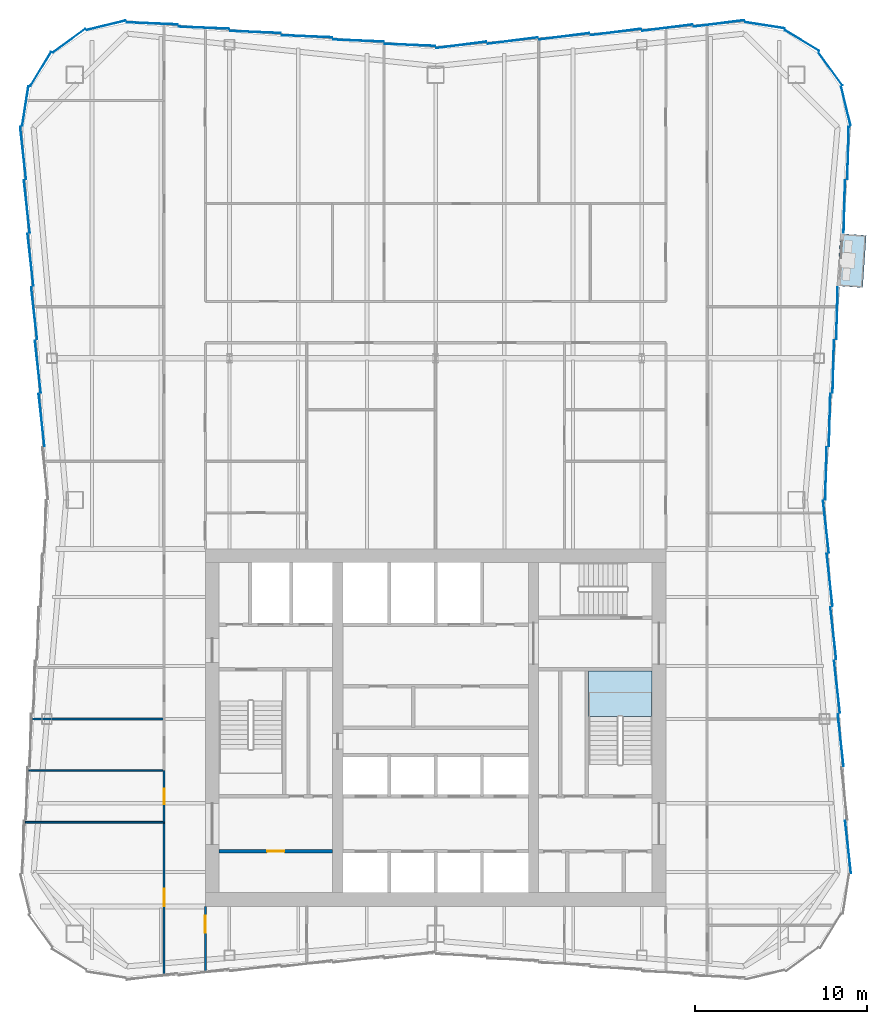
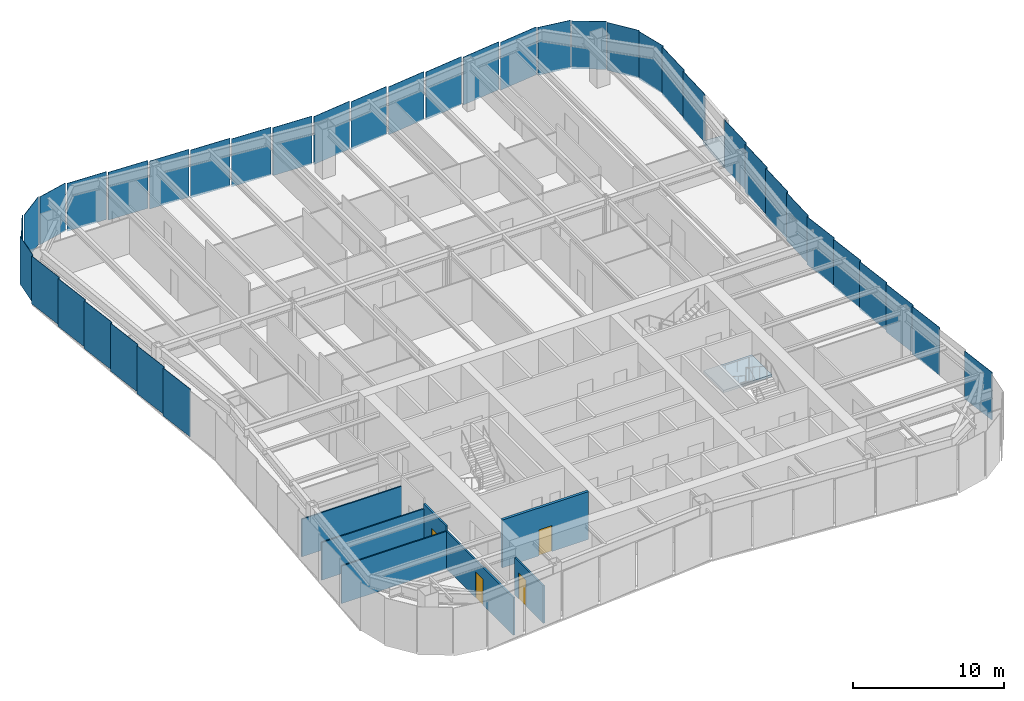
# One storey, part 5 of 11: 38 plates, 7 walls, 4 doors, 2 slabs, 4 openings, 6 elements without a shape of their own.
"""IFC4 building model written with IfcOpenShell, lengths in metres."""

from ifc_helpers import new_model, si_unit, direction, frame, frame_2d, origin, origin_2d, place, context, subcontext, project, spatial, polyline, rectangle, outline, extrude, material, layer, layer_set, type_object, element, fill, aggregate, save


model = new_model("IFC4")

# Units and contexts
model_context = context("Model", 3, precision=1e-05, world=origin(), true_north=direction((0.0, 1.0)))
body_context = subcontext(model_context, "Body", "Model", "MODEL_VIEW")
ifc_project = project(units=[si_unit("LENGTHUNIT", "METRE"), si_unit("AREAUNIT", "SQUARE_METRE"), si_unit("VOLUMEUNIT", "CUBIC_METRE"), si_unit("PLANEANGLEUNIT", "RADIAN"), si_unit("MASSUNIT", "GRAM", prefix="KILO")], contexts=[model_context])

# Site, building, storey
site_placement = place(None, origin())
site = spatial("IfcSite", under=ifc_project, at=site_placement, CompositionType="ELEMENT")
building_placement = place(site_placement, origin())
building = spatial("IfcBuilding", under=site, at=building_placement, Name="Verdant Reach Tower", CompositionType="ELEMENT")
storey_placement = place(building_placement, frame((0.0, 0.0, 254.0)))
storey = spatial("IfcBuildingStorey", under=building, at=storey_placement, Name="L58", CompositionType="ELEMENT", Elevation=254.0)

# Stair, slab
ifc_material_1 = material(Name="Concrete C40/50", Category="concrete")
stair_type = type_object("IfcStairType", Name="CO-STAIR", PredefinedType="HALF_TURN_STAIR", material=ifc_material_1)
stair_placement = place(storey_placement, origin())
stair = element("IfcStair", 1, at=stair_placement, inside=storey, type_object=stair_type, Name="L58 Exit stair 2", PredefinedType="HALF_TURN_STAIR")
ifc_layer_1 = layer(ifc_material_1, 0.199951171875)
ifc_layer_set_1 = layer_set([ifc_layer_1], Name="CO-STAIR-LANDING")
slab_type_1 = type_object("IfcSlabType", Name="CO-STAIR-LANDING", PredefinedType="LANDING", material=ifc_layer_set_1)
slab_1_placement = place(storey_placement, frame((0.0, 0.0, 1.800048828125)))
slab_1 = element("IfcSlab", 2, at=slab_1_placement, type_object=slab_type_1, Name="ST-2 landing 1", PredefinedType="LANDING", context=body_context, shape_type="SweptSolid", body=[
    extrude(outline(polyline([(12.60009765625, 28.64990234375), (12.60009765625, 31.300048828125), (8.89990234375, 31.300048828125), (8.89990234375, 28.64990234375), (12.60009765625, 28.64990234375)])), origin(), (0.0, 0.0, 1.0), 0.199951171875),
])
aggregate(stair, [slab_1])

# Slab
ifc_material_2 = material(Name="Concrete C35/45", Category="concrete")
ifc_layer_2 = layer(ifc_material_2, 0.25)
ifc_layer_set_2 = layer_set([ifc_layer_2], Name="EN-BALCONY SLAB")
slab_type_2 = type_object("IfcSlabType", Name="EN-BALCONY SLAB", PredefinedType="FLOOR", material=ifc_layer_set_2)
slab_2_placement = place(storey_placement, frame((0.0, 0.0, -0.25)))
element("IfcSlab", 3, at=slab_2_placement, inside=storey, type_object=slab_type_2, Name="Balcony slab 1, L58", PredefinedType="FLOOR", context=body_context, shape_type="SweptSolid", body=[
    extrude(outline(polyline([(23.359375, 53.71240234375), (23.569091796875, 56.751708984375), (25.0654296875, 56.648681640625), (24.85595703125, 53.609375), (23.359375, 53.71240234375)])), origin(), (0.0, 0.0, 1.0), 0.25),
])

# Curtain wall, plates
ifc_material_3 = material(Name="Anodised aluminium", Category="aluminium")
curtain_wall_type = type_object("IfcCurtainWallType", Name="EN-CW SYSTEM Z4", PredefinedType="NOTDEFINED", material=ifc_material_3)
curtain_wall_1_placement = place(storey_placement, origin())
curtain_wall_1 = element("IfcCurtainWall", 4, at=curtain_wall_1_placement, inside=storey, type_object=curtain_wall_type, Name="Curtain wall east, L58", PredefinedType="NOTDEFINED")
ifc_material_4 = material(Name="Tinted glass with champagne spandrel", Category="glass")
ifc_layer_3 = layer(ifc_material_4, 0.031982421875)
ifc_layer_set_3 = layer_set([ifc_layer_3], Name="EN-PANEL CHAMPAGNE")
plate_type_1 = type_object("IfcPlateType", Name="EN-PANEL CHAMPAGNE", PredefinedType="CURTAIN_PANEL", material=ifc_layer_set_3)
plate_1_placement = place(storey_placement, frame((23.575927734375, 27.275634765625, -0.221923828125), z_axis=(0.0, 0.0, 1.0), x_axis=(-0.110518162674, 0.993874104562, 0.0)))
plate_1 = element("IfcPlate", 5, at=plate_1_placement, type_object=plate_type_1, Name="Glass panel east face part 1 3.1, L58", PredefinedType="CURTAIN_PANEL", context=body_context, shape_type="SweptSolid", body=[
    extrude(rectangle(XDim=3.050537109375, YDim=0.031982421875, at=origin_2d()), origin(), (0.0, 0.0, 1.0), 3.8720703125),
])
plate_2_placement = place(storey_placement, frame((23.36181640625, 30.3828125, -0.221923828125), z_axis=(0.0, 0.0, 1.0), x_axis=(-0.110518162674, 0.993874104562, 0.0)))
plate_2 = element("IfcPlate", 6, at=plate_2_placement, type_object=plate_type_1, Name="Glass panel east face part 1 4.1, L58", PredefinedType="CURTAIN_PANEL", context=body_context, shape_type="SweptSolid", body=[
    extrude(rectangle(XDim=3.050537109375, YDim=0.031982421875, at=origin_2d()), origin(), (0.0, 0.0, 1.0), 3.8720703125),
])
plate_3_placement = place(storey_placement, frame((23.36181640625, 52.1171875, -0.221923828125), z_axis=(0.0, 0.0, 1.0), x_axis=(0.026965318308, 0.999636369691, 0.0)))
plate_3 = element("IfcPlate", 7, at=plate_3_placement, type_object=plate_type_1, Name="Glass panel east face part 2 4.1, L58", PredefinedType="CURTAIN_PANEL", context=body_context, shape_type="SweptSolid", body=[
    extrude(rectangle(XDim=3.050537109375, YDim=0.031982421875, at=origin_2d()), origin(), (0.0, 0.0, 1.0), 3.8720703125),
])
plate_4_placement = place(storey_placement, frame((23.790283203125, 58.33154296875, -0.221923828125), z_axis=(0.0, 0.0, 1.0), x_axis=(0.026965318308, 0.999636369691, 0.0)))
plate_4 = element("IfcPlate", 8, at=plate_4_placement, type_object=plate_type_1, Name="Glass panel east face part 2 6.1, L58", PredefinedType="CURTAIN_PANEL", context=body_context, shape_type="SweptSolid", body=[
    extrude(rectangle(XDim=3.050537109375, YDim=0.031982421875, at=origin_2d()), origin(), (0.0, 0.0, 1.0), 3.8720703125),
])

curtain_wall_2_placement = place(storey_placement, origin())
curtain_wall_2 = element("IfcCurtainWall", 9, at=curtain_wall_2_placement, inside=storey, type_object=curtain_wall_type, Name="Curtain wall north-east corner, L58", PredefinedType="NOTDEFINED")
plate_5_placement = place(storey_placement, frame((21.330322265625, 67.984375, -0.221923828125), z_axis=(0.0, 0.0, 1.0), x_axis=(-0.853988708265, 0.520291539577, 0.0)))
plate_5 = element("IfcPlate", 10, at=plate_5_placement, type_object=plate_type_1, Name="Glass panel north-east corner 3.1, L58", PredefinedType="CURTAIN_PANEL", context=body_context, shape_type="SweptSolid", body=[
    extrude(rectangle(XDim=2.32080078125, YDim=0.031982421875, at=origin_2d()), origin(), (0.0, 0.0, 1.0), 3.8720703125),
])
plate_6_placement = place(storey_placement, frame((19.172607421875, 68.87939453125, -0.221923828125), z_axis=(0.0, 0.0, 1.0), x_axis=(-0.98802725693, 0.154279420415, 0.0)))
plate_6 = element("IfcPlate", 11, at=plate_6_placement, type_object=plate_type_1, Name="Glass panel north-east corner 4.1, L58", PredefinedType="CURTAIN_PANEL", context=body_context, shape_type="SweptSolid", body=[
    extrude(rectangle(XDim=2.314453125, YDim=0.031982421875, at=origin_2d()), origin(), (0.0, 0.0, 1.0), 3.8720703125),
])

curtain_wall_3_placement = place(storey_placement, origin())
curtain_wall_3 = element("IfcCurtainWall", 12, at=curtain_wall_3_placement, inside=storey, type_object=curtain_wall_type, Name="Curtain wall north, L58", PredefinedType="NOTDEFINED")
plate_7_placement = place(storey_placement, frame((16.49853515625, 68.98681640625, -0.221923828125), z_axis=(0.0, 0.0, 1.0), x_axis=(-0.992238962139, -0.124345655383, 0.0)))
plate_7 = element("IfcPlate", 13, at=plate_7_placement, type_object=plate_type_1, Name="Glass panel north face part 1 1.1, L58", PredefinedType="CURTAIN_PANEL", context=body_context, shape_type="SweptSolid", body=[
    extrude(rectangle(XDim=2.9619140625, YDim=0.031982421875, at=origin_2d()), origin(), (0.0, 0.0, 1.0), 3.8720703125),
])
plate_8_placement = place(storey_placement, frame((13.49072265625, 68.736572265625, -0.221923828125), z_axis=(0.0, 0.0, 1.0), x_axis=(-0.992194034542, -0.124703639961, 0.0)))
plate_8 = element("IfcPlate", 14, at=plate_8_placement, type_object=plate_type_1, Name="Glass panel north face part 1 2.1, L58", PredefinedType="CURTAIN_PANEL", context=body_context, shape_type="SweptSolid", body=[
    extrude(rectangle(XDim=2.9462890625, YDim=0.031982421875, at=origin_2d()), origin(), (0.0, 0.0, 1.0), 3.8720703125),
])
plate_9_placement = place(storey_placement, frame((-4.49072265625, 67.986572265625, -0.221923828125), z_axis=(0.0, 0.0, 1.0), x_axis=(-0.999149202059, 0.041241629766, 0.0)))
plate_9 = element("IfcPlate", 15, at=plate_9_placement, type_object=plate_type_1, Name="Glass panel north face part 2 2.1, L58", PredefinedType="CURTAIN_PANEL", context=body_context, shape_type="SweptSolid", body=[
    extrude(rectangle(XDim=2.9462890625, YDim=0.031982421875, at=origin_2d()), origin(), (0.0, 0.0, 1.0), 3.8720703125),
])
plate_10_placement = place(storey_placement, frame((-7.49072265625, 68.236572265625, -0.221923828125), z_axis=(0.0, 0.0, 1.0), x_axis=(-0.999149202059, 0.041241629766, 0.0)))
plate_10 = element("IfcPlate", 16, at=plate_10_placement, type_object=plate_type_1, Name="Glass panel north face part 2 3.1, L58", PredefinedType="CURTAIN_PANEL", context=body_context, shape_type="SweptSolid", body=[
    extrude(rectangle(XDim=2.9462890625, YDim=0.031982421875, at=origin_2d()), origin(), (0.0, 0.0, 1.0), 3.8720703125),
])
plate_11_placement = place(storey_placement, frame((-10.49072265625, 68.486572265625, -0.221923828125), z_axis=(0.0, 0.0, 1.0), x_axis=(-0.999149202059, 0.041241629766, 0.0)))
plate_11 = element("IfcPlate", 17, at=plate_11_placement, type_object=plate_type_1, Name="Glass panel north face part 2 4.1, L58", PredefinedType="CURTAIN_PANEL", context=body_context, shape_type="SweptSolid", body=[
    extrude(rectangle(XDim=2.9462890625, YDim=0.031982421875, at=origin_2d()), origin(), (0.0, 0.0, 1.0), 3.8720703125),
])

curtain_wall_4_placement = place(storey_placement, origin())
curtain_wall_4 = element("IfcCurtainWall", 18, at=curtain_wall_4_placement, inside=storey, type_object=curtain_wall_type, Name="Curtain wall north-west corner, L58", PredefinedType="NOTDEFINED")
plate_12_placement = place(storey_placement, frame((-19.172607421875, 68.87939453125, -0.221923828125), z_axis=(0.0, 0.0, 1.0), x_axis=(-0.971652337104, -0.236414330786, 0.0)))
plate_12 = element("IfcPlate", 19, at=plate_12_placement, type_object=plate_type_1, Name="Glass panel north-west corner 1.1, L58", PredefinedType="CURTAIN_PANEL", context=body_context, shape_type="SweptSolid", body=[
    extrude(rectangle(XDim=2.314453125, YDim=0.031982421875, at=origin_2d()), origin(), (0.0, 0.0, 1.0), 3.8720703125),
])
plate_13_placement = place(storey_placement, frame((-21.330322265625, 67.984375, -0.221923828125), z_axis=(0.0, 0.0, 1.0), x_axis=(-0.80745677573, -0.589926737254, 0.0)))
plate_13 = element("IfcPlate", 20, at=plate_13_placement, type_object=plate_type_1, Name="Glass panel north-west corner 2.1, L58", PredefinedType="CURTAIN_PANEL", context=body_context, shape_type="SweptSolid", body=[
    extrude(rectangle(XDim=2.32080078125, YDim=0.031982421875, at=origin_2d()), origin(), (0.0, 0.0, 1.0), 3.8720703125),
])

# Curtain wall, plate
curtain_wall_5_placement = place(storey_placement, origin())
curtain_wall_5 = element("IfcCurtainWall", 21, at=curtain_wall_5_placement, inside=storey, type_object=curtain_wall_type, Name="Curtain wall west, L58", PredefinedType="NOTDEFINED")
plate_14_placement = place(storey_placement, frame((-24.004638671875, 61.446044921875, -0.221923828125), z_axis=(0.0, 0.0, 1.0), x_axis=(0.110205903836, -0.993908777886, 0.0)))
plate_14 = element("IfcPlate", 22, at=plate_14_placement, type_object=plate_type_1, Name="Glass panel west face part 1 1.1, L58", PredefinedType="CURTAIN_PANEL", context=body_context, shape_type="SweptSolid", body=[
    extrude(rectangle(XDim=3.0654296875, YDim=0.031982421875, at=origin_2d()), origin(), (0.0, 0.0, 1.0), 3.8720703125),
])

# Plate
ifc_material_5 = material(Name="Tinted glass with copper spandrel", Category="glass")
ifc_layer_4 = layer(ifc_material_5, 0.031982421875)
ifc_layer_set_4 = layer_set([ifc_layer_4], Name="EN-PANEL COPPER")
plate_type_2 = type_object("IfcPlateType", Name="EN-PANEL COPPER", PredefinedType="CURTAIN_PANEL", material=ifc_layer_set_4)
plate_15_placement = place(storey_placement, frame((23.1474609375, 33.48974609375, -0.221923828125), z_axis=(0.0, 0.0, 1.0), x_axis=(-0.110518162674, 0.993874104562, 0.0)))
plate_15 = element("IfcPlate", 23, at=plate_15_placement, type_object=plate_type_2, Name="Glass panel east face part 1 5.1, L58", PredefinedType="CURTAIN_PANEL", context=body_context, shape_type="SweptSolid", body=[
    extrude(rectangle(XDim=3.050537109375, YDim=0.031982421875, at=origin_2d()), origin(), (0.0, 0.0, 1.0), 3.8720703125),
])

plate_16_placement = place(storey_placement, frame((22.93310546875, 36.596923828125, -0.221923828125), z_axis=(0.0, 0.0, 1.0), x_axis=(-0.110518162674, 0.993874104562, 0.0)))
plate_16 = element("IfcPlate", 24, at=plate_16_placement, type_object=plate_type_2, Name="Glass panel east face part 1 6.1, L58", PredefinedType="CURTAIN_PANEL", context=body_context, shape_type="SweptSolid", body=[
    extrude(rectangle(XDim=3.050537109375, YDim=0.031982421875, at=origin_2d()), origin(), (0.0, 0.0, 1.0), 3.8720703125),
])

plate_17_placement = place(storey_placement, frame((22.718994140625, 39.7001953125, -0.221923828125), z_axis=(0.0, 0.0, 1.0), x_axis=(-0.110603065042, 0.993864659802, 0.0)))
plate_17 = element("IfcPlate", 25, at=plate_17_placement, type_object=plate_type_2, Name="Glass panel east face part 1 7.1, L58", PredefinedType="CURTAIN_PANEL", context=body_context, shape_type="SweptSolid", body=[
    extrude(rectangle(XDim=3.042724609375, YDim=0.031982421875, at=origin_2d()), origin(), (0.0, 0.0, 1.0), 3.8720703125),
])

plate_18_placement = place(storey_placement, frame((22.718994140625, 42.7998046875, -0.221923828125), z_axis=(0.0, 0.0, 1.0), x_axis=(0.027050713229, 0.999634062502, 0.0)))
plate_18 = element("IfcPlate", 26, at=plate_18_placement, type_object=plate_type_2, Name="Glass panel east face part 2 1.1, L58", PredefinedType="CURTAIN_PANEL", context=body_context, shape_type="SweptSolid", body=[
    extrude(rectangle(XDim=3.042724609375, YDim=0.031982421875, at=origin_2d()), origin(), (0.0, 0.0, 1.0), 3.8720703125),
])

plate_19_placement = place(storey_placement, frame((24.004638671875, 61.446044921875, -0.221923828125), z_axis=(0.0, 0.0, 1.0), x_axis=(0.026651253217, 0.999644792265, 0.0)))
plate_19 = element("IfcPlate", 27, at=plate_19_placement, type_object=plate_type_2, Name="Glass panel east face part 2 7.1, L58", PredefinedType="CURTAIN_PANEL", context=body_context, shape_type="SweptSolid", body=[
    extrude(rectangle(XDim=3.0654296875, YDim=0.031982421875, at=origin_2d()), origin(), (0.0, 0.0, 1.0), 3.8720703125),
])

plate_20_placement = place(storey_placement, frame((10.49072265625, 68.486572265625, -0.221923828125), z_axis=(0.0, 0.0, 1.0), x_axis=(-0.992194034542, -0.124703639961, 0.0)))
plate_20 = element("IfcPlate", 28, at=plate_20_placement, type_object=plate_type_2, Name="Glass panel north face part 1 3.1, L58", PredefinedType="CURTAIN_PANEL", context=body_context, shape_type="SweptSolid", body=[
    extrude(rectangle(XDim=2.9462890625, YDim=0.031982421875, at=origin_2d()), origin(), (0.0, 0.0, 1.0), 3.8720703125),
])

plate_21_placement = place(storey_placement, frame((7.49072265625, 68.236572265625, -0.221923828125), z_axis=(0.0, 0.0, 1.0), x_axis=(-0.992194034542, -0.124703639961, 0.0)))
plate_21 = element("IfcPlate", 29, at=plate_21_placement, type_object=plate_type_2, Name="Glass panel north face part 1 4.1, L58", PredefinedType="CURTAIN_PANEL", context=body_context, shape_type="SweptSolid", body=[
    extrude(rectangle(XDim=2.9462890625, YDim=0.031982421875, at=origin_2d()), origin(), (0.0, 0.0, 1.0), 3.8720703125),
])

plate_22_placement = place(storey_placement, frame((4.49072265625, 67.986572265625, -0.221923828125), z_axis=(0.0, 0.0, 1.0), x_axis=(-0.992194034542, -0.124703639961, 0.0)))
plate_22 = element("IfcPlate", 30, at=plate_22_placement, type_object=plate_type_2, Name="Glass panel north face part 1 5.1, L58", PredefinedType="CURTAIN_PANEL", context=body_context, shape_type="SweptSolid", body=[
    extrude(rectangle(XDim=2.9462890625, YDim=0.031982421875, at=origin_2d()), origin(), (0.0, 0.0, 1.0), 3.8720703125),
])

plate_23_placement = place(storey_placement, frame((-13.49072265625, 68.736572265625, -0.221923828125), z_axis=(0.0, 0.0, 1.0), x_axis=(-0.999149202059, 0.041241629766, 0.0)))
plate_23 = element("IfcPlate", 31, at=plate_23_placement, type_object=plate_type_2, Name="Glass panel north face part 2 5.1, L58", PredefinedType="CURTAIN_PANEL", context=body_context, shape_type="SweptSolid", body=[
    extrude(rectangle(XDim=2.9462890625, YDim=0.031982421875, at=origin_2d()), origin(), (0.0, 0.0, 1.0), 3.8720703125),
])

plate_24_placement = place(storey_placement, frame((-16.49853515625, 68.98681640625, -0.221923828125), z_axis=(0.0, 0.0, 1.0), x_axis=(-0.999164016711, 0.040881141246, 0.0)))
plate_24 = element("IfcPlate", 32, at=plate_24_placement, type_object=plate_type_2, Name="Glass panel north face part 2 6.1, L58", PredefinedType="CURTAIN_PANEL", context=body_context, shape_type="SweptSolid", body=[
    extrude(rectangle(XDim=2.9619140625, YDim=0.031982421875, at=origin_2d()), origin(), (0.0, 0.0, 1.0), 3.8720703125),
])

plate_25_placement = place(storey_placement, frame((-22.984375, 66.330322265625, -0.221923828125), z_axis=(0.0, 0.0, 1.0), x_axis=(-0.520291539577, -0.853988708265, 0.0)))
plate_25 = element("IfcPlate", 33, at=plate_25_placement, type_object=plate_type_2, Name="Glass panel north-west corner 3.1, L58", PredefinedType="CURTAIN_PANEL", context=body_context, shape_type="SweptSolid", body=[
    extrude(rectangle(XDim=2.32080078125, YDim=0.031982421875, at=origin_2d()), origin(), (0.0, 0.0, 1.0), 3.8720703125),
])

plate_26_placement = place(storey_placement, frame((-23.87939453125, 64.173095703125, -0.221923828125), z_axis=(0.0, 0.0, 1.0), x_axis=(-0.154324690427, -0.988020187003, 0.0)))
plate_26 = element("IfcPlate", 34, at=plate_26_placement, type_object=plate_type_2, Name="Glass panel north-west corner 4.1, L58", PredefinedType="CURTAIN_PANEL", context=body_context, shape_type="SweptSolid", body=[
    extrude(rectangle(XDim=2.313720703125, YDim=0.031982421875, at=origin_2d()), origin(), (0.0, 0.0, 1.0), 3.8720703125),
])

aggregate(curtain_wall_4, [plate_12, plate_13, plate_25, plate_26])

plate_27_placement = place(storey_placement, frame((-23.790283203125, 58.33154296875, -0.221923828125), z_axis=(0.0, 0.0, 1.0), x_axis=(0.110518162674, -0.993874104562, 0.0)))
plate_27 = element("IfcPlate", 35, at=plate_27_placement, type_object=plate_type_2, Name="Glass panel west face part 1 2.1, L58", PredefinedType="CURTAIN_PANEL", context=body_context, shape_type="SweptSolid", body=[
    extrude(rectangle(XDim=3.050537109375, YDim=0.031982421875, at=origin_2d()), origin(), (0.0, 0.0, 1.0), 3.8720703125),
])

plate_28_placement = place(storey_placement, frame((-23.575927734375, 55.224365234375, -0.221923828125), z_axis=(0.0, 0.0, 1.0), x_axis=(0.110518162674, -0.993874104562, 0.0)))
plate_28 = element("IfcPlate", 36, at=plate_28_placement, type_object=plate_type_2, Name="Glass panel west face part 1 3.1, L58", PredefinedType="CURTAIN_PANEL", context=body_context, shape_type="SweptSolid", body=[
    extrude(rectangle(XDim=3.050537109375, YDim=0.031982421875, at=origin_2d()), origin(), (0.0, 0.0, 1.0), 3.8720703125),
])

ifc_material_6 = material(Name="Tinted glass with dark bronze spandrel", Category="glass")
ifc_layer_5 = layer(ifc_material_6, 0.031982421875)
ifc_layer_set_5 = layer_set([ifc_layer_5], Name="EN-PANEL DARK")
plate_type_3 = type_object("IfcPlateType", Name="EN-PANEL DARK", PredefinedType="CURTAIN_PANEL", material=ifc_layer_set_5)
plate_29_placement = place(storey_placement, frame((24.004638671875, 21.053955078125, -0.221923828125), z_axis=(0.0, 0.0, 1.0), x_axis=(-0.110205903836, 0.993908777886, 0.0)))
plate_29 = element("IfcPlate", 37, at=plate_29_placement, type_object=plate_type_3, Name="Glass panel east face part 1 1.1, L58", PredefinedType="CURTAIN_PANEL", context=body_context, shape_type="SweptSolid", body=[
    extrude(rectangle(XDim=3.0654296875, YDim=0.031982421875, at=origin_2d()), origin(), (0.0, 0.0, 1.0), 3.8720703125),
])

plate_30_placement = place(storey_placement, frame((22.93310546875, 45.903076171875, -0.221923828125), z_axis=(0.0, 0.0, 1.0), x_axis=(0.026965318308, 0.999636369691, 0.0)))
plate_30 = element("IfcPlate", 38, at=plate_30_placement, type_object=plate_type_3, Name="Glass panel east face part 2 2.1, L58", PredefinedType="CURTAIN_PANEL", context=body_context, shape_type="SweptSolid", body=[
    extrude(rectangle(XDim=3.050537109375, YDim=0.031982421875, at=origin_2d()), origin(), (0.0, 0.0, 1.0), 3.8720703125),
])

plate_31_placement = place(storey_placement, frame((23.1474609375, 49.01025390625, -0.221923828125), z_axis=(0.0, 0.0, 1.0), x_axis=(0.026965318308, 0.999636369691, 0.0)))
plate_31 = element("IfcPlate", 39, at=plate_31_placement, type_object=plate_type_3, Name="Glass panel east face part 2 3.1, L58", PredefinedType="CURTAIN_PANEL", context=body_context, shape_type="SweptSolid", body=[
    extrude(rectangle(XDim=3.050537109375, YDim=0.031982421875, at=origin_2d()), origin(), (0.0, 0.0, 1.0), 3.8720703125),
])

aggregate(curtain_wall_1, [plate_29, plate_1, plate_2, plate_15, plate_16, plate_17, plate_18, plate_30, plate_31, plate_3, plate_4, plate_19])

plate_32_placement = place(storey_placement, frame((23.87939453125, 64.173095703125, -0.221923828125), z_axis=(0.0, 0.0, 1.0), x_axis=(-0.236458850433, 0.971641503875, 0.0)))
plate_32 = element("IfcPlate", 40, at=plate_32_placement, type_object=plate_type_3, Name="Glass panel north-east corner 1.1, L58", PredefinedType="CURTAIN_PANEL", context=body_context, shape_type="SweptSolid", body=[
    extrude(rectangle(XDim=2.313720703125, YDim=0.031982421875, at=origin_2d()), origin(), (0.0, 0.0, 1.0), 3.8720703125),
])

plate_33_placement = place(storey_placement, frame((22.984375, 66.330322265625, -0.221923828125), z_axis=(0.0, 0.0, 1.0), x_axis=(-0.589926737254, 0.80745677573, 0.0)))
plate_33 = element("IfcPlate", 41, at=plate_33_placement, type_object=plate_type_3, Name="Glass panel north-east corner 2.1, L58", PredefinedType="CURTAIN_PANEL", context=body_context, shape_type="SweptSolid", body=[
    extrude(rectangle(XDim=2.32080078125, YDim=0.031982421875, at=origin_2d()), origin(), (0.0, 0.0, 1.0), 3.8720703125),
])

aggregate(curtain_wall_2, [plate_32, plate_33, plate_5, plate_6])

plate_34_placement = place(storey_placement, frame((1.495361328125, 67.73681640625, -0.221923828125), z_axis=(0.0, 0.0, 1.0), x_axis=(-0.992177950603, -0.124831543836, 0.0)))
plate_34 = element("IfcPlate", 42, at=plate_34_placement, type_object=plate_type_3, Name="Glass panel north face part 1 6.1, L58", PredefinedType="CURTAIN_PANEL", context=body_context, shape_type="SweptSolid", body=[
    extrude(rectangle(XDim=2.93701171875, YDim=0.031982421875, at=origin_2d()), origin(), (0.0, 0.0, 1.0), 3.8720703125),
])

plate_35_placement = place(storey_placement, frame((-1.495361328125, 67.73681640625, -0.221923828125), z_axis=(0.0, 0.0, 1.0), x_axis=(-0.999143877249, 0.041370430933, 0.0)))
plate_35 = element("IfcPlate", 43, at=plate_35_placement, type_object=plate_type_3, Name="Glass panel north face part 2 1.1, L58", PredefinedType="CURTAIN_PANEL", context=body_context, shape_type="SweptSolid", body=[
    extrude(rectangle(XDim=2.93701171875, YDim=0.031982421875, at=origin_2d()), origin(), (0.0, 0.0, 1.0), 3.8720703125),
])

aggregate(curtain_wall_3, [plate_7, plate_8, plate_20, plate_21, plate_22, plate_34, plate_35, plate_9, plate_10, plate_11, plate_23, plate_24])

plate_36_placement = place(storey_placement, frame((-23.36181640625, 52.1171875, -0.221923828125), z_axis=(0.0, 0.0, 1.0), x_axis=(0.110518162674, -0.993874104562, 0.0)))
plate_36 = element("IfcPlate", 44, at=plate_36_placement, type_object=plate_type_3, Name="Glass panel west face part 1 4.1, L58", PredefinedType="CURTAIN_PANEL", context=body_context, shape_type="SweptSolid", body=[
    extrude(rectangle(XDim=3.050537109375, YDim=0.031982421875, at=origin_2d()), origin(), (0.0, 0.0, 1.0), 3.8720703125),
])

plate_37_placement = place(storey_placement, frame((-23.1474609375, 49.01025390625, -0.221923828125), z_axis=(0.0, 0.0, 1.0), x_axis=(0.110518162674, -0.993874104562, 0.0)))
plate_37 = element("IfcPlate", 45, at=plate_37_placement, type_object=plate_type_3, Name="Glass panel west face part 1 5.1, L58", PredefinedType="CURTAIN_PANEL", context=body_context, shape_type="SweptSolid", body=[
    extrude(rectangle(XDim=3.050537109375, YDim=0.031982421875, at=origin_2d()), origin(), (0.0, 0.0, 1.0), 3.8720703125),
])

plate_38_placement = place(storey_placement, frame((-22.93310546875, 45.903076171875, -0.221923828125), z_axis=(0.0, 0.0, 1.0), x_axis=(0.110518162674, -0.993874104562, 0.0)))
plate_38 = element("IfcPlate", 46, at=plate_38_placement, type_object=plate_type_3, Name="Glass panel west face part 1 6.1, L58", PredefinedType="CURTAIN_PANEL", context=body_context, shape_type="SweptSolid", body=[
    extrude(rectangle(XDim=3.050537109375, YDim=0.031982421875, at=origin_2d()), origin(), (0.0, 0.0, 1.0), 3.8720703125),
])

aggregate(curtain_wall_5, [plate_14, plate_27, plate_28, plate_36, plate_37, plate_38])

# Wall, opening, door
ifc_material_7 = material(Name="Gypsum board on steel studs", Category="steel")
ifc_layer_6 = layer(ifc_material_7, 0.199951171875)
ifc_layer_set_6 = layer_set([ifc_layer_6], Name="CO-WALL-ROOM")
wall_type_1 = type_object("IfcWallType", Name="CO-WALL-ROOM", PredefinedType="PARTITIONING", material=ifc_layer_set_6)
wall_1_placement = place(storey_placement, frame((-12.60009765625, 20.800048828125, 0.0), z_axis=(0.0, 0.0, 1.0), x_axis=(1.0, 0.0, 0.0)))
wall_1 = element("IfcWall", 47, at=wall_1_placement, inside=storey, type_object=wall_type_1, Name="Core partition, L58", PredefinedType="PARTITIONING", context=body_context, shape_type="SweptSolid", body=[
    extrude(rectangle(XDim=6.60009765625, YDim=0.199951171875, at=frame_2d((3.300048828125, 0.0))), origin(), (0.0, 0.0, 1.0), 3.8701171875),
])
opening_1_placement = place(wall_1_placement, frame((2.800048828125, 0.0, 0.0)))
opening_1 = element("IfcOpeningElement", 48, at=opening_1_placement, cuts=wall_1, Name="Opening CD", PredefinedType="OPENING", context=body_context, shape_type="SweptSolid", body=[
    extrude(rectangle(XDim=1.0, YDim=2.10009765625, at=frame_2d((0.5, 1.050048828125))), frame((0.0, 0.10986328125, 0.0), z_axis=(0.0, -1.0, 0.0), x_axis=(1.0, 0.0, 0.0)), (0.0, 0.0, 1.0), 0.219970703125),
])
ifc_material_8 = material(Name="Timber", Category="wood")
door_type_1 = type_object("IfcDoorType", Name="CO-DOOR-ROOM", OperationType="NOTDEFINED", PredefinedType="DOOR", material=ifc_material_8)
door_1_placement = place(opening_1_placement, origin())
door_1 = element("IfcDoor", 49, at=door_1_placement, inside=storey, type_object=door_type_1, Name="Core room door, L58", OperationType="SINGLE_SWING_LEFT", OverallHeight=2.10009765625, OverallWidth=1.0, PredefinedType="DOOR", context=body_context, shape_type="SweptSolid", body=[
    extrude(rectangle(XDim=1.0, YDim=2.10009765625, at=frame_2d((0.5, 1.050048828125))), frame((0.0, 0.02490234375, 0.0), z_axis=(0.0, -1.0, 0.0), x_axis=(1.0, 0.0, 0.0)), (0.0, 0.0, 1.0), 0.050048828125),
])
fill(opening_1, door_1)

# Walls
ifc_layer_7 = layer(ifc_material_7, 0.10009765625)
ifc_layer_set_7 = layer_set([ifc_layer_7], Name="FL-W1 Partition 100")
wall_type_2 = type_object("IfcWallType", Name="FL-W1 Partition 100", PredefinedType="PARTITIONING", material=ifc_layer_set_7)
wall_2_placement = place(storey_placement, frame((-15.800048828125, 22.5, 0.0), z_axis=(0.0, 0.0, 1.0), x_axis=(-1.0, 0.0, 0.0)))
element("IfcWall", 50, at=wall_2_placement, inside=storey, type_object=wall_type_2, Name="Partition 58.34", PredefinedType="PARTITIONING", context=body_context, shape_type="SweptSolid", body=[
    extrude(rectangle(XDim=8.072998046875, YDim=0.10009765625, at=frame_2d((4.03662109375, 0.0))), origin(), (0.0, 0.0, 1.0), 3.0400390625),
])
wall_3_placement = place(storey_placement, frame((-15.800048828125, 25.5, 0.0), z_axis=(0.0, 0.0, 1.0), x_axis=(-1.0, 0.0, 0.0)))
element("IfcWall", 51, at=wall_3_placement, inside=storey, type_object=wall_type_2, Name="Partition 58.35", PredefinedType="PARTITIONING", context=body_context, shape_type="SweptSolid", body=[
    extrude(rectangle(XDim=7.8662109375, YDim=0.10009765625, at=frame_2d((3.93310546875, 0.0))), origin(), (0.0, 0.0, 1.0), 3.0400390625),
])
wall_4_placement = place(storey_placement, frame((-15.800048828125, 28.5, 0.0), z_axis=(0.0, 0.0, 1.0), x_axis=(-1.0, 0.0, 0.0)))
element("IfcWall", 52, at=wall_4_placement, inside=storey, type_object=wall_type_2, Name="Partition 58.36", PredefinedType="PARTITIONING", context=body_context, shape_type="SweptSolid", body=[
    extrude(rectangle(XDim=7.6591796875, YDim=0.10009765625, at=frame_2d((3.82958984375, 0.0))), origin(), (0.0, 0.0, 1.0), 3.0400390625),
])

# Wall, opening, door
ifc_material_9 = material(Name="Gypsum board on steel studs, fire rated", Category="steel")
ifc_layer_8 = layer(ifc_material_9, 0.125)
ifc_layer_set_8 = layer_set([ifc_layer_8], Name="FL-W2 Corridor wall 125")
wall_type_3 = type_object("IfcWallType", Name="FL-W2 Corridor wall 125", PredefinedType="PARTITIONING", material=ifc_layer_set_8)
wall_5_placement = place(storey_placement, frame((-15.800048828125, 13.603271484375, 0.0), z_axis=(0.0, 0.0, 1.0), x_axis=(0.0, 1.0, 0.0)))
wall_5 = element("IfcWall", 53, at=wall_5_placement, inside=storey, type_object=wall_type_3, Name="Partition 58.01", PredefinedType="PARTITIONING", context=body_context, shape_type="SweptSolid", body=[
    extrude(rectangle(XDim=8.896728515625, YDim=0.125, at=frame_2d((4.4482421875, 0.0))), origin(), (0.0, 0.0, 1.0), 3.0400390625),
])
opening_2_placement = place(wall_5_placement, frame((4.013427734375, 0.0, 0.0)))
opening_2 = element("IfcOpeningElement", 54, at=opening_2_placement, cuts=wall_5, Name="Opening D2", PredefinedType="OPENING", context=body_context, shape_type="SweptSolid", body=[
    extrude(rectangle(XDim=1.0, YDim=2.10009765625, at=frame_2d((0.5, 1.050048828125))), frame((0.0, 0.072509765625, 0.0), z_axis=(0.0, -1.0, 0.0), x_axis=(1.0, 0.0, 0.0)), (0.0, 0.0, 1.0), 0.14501953125),
])
ifc_material_10 = material(Name="Timber door leaf, fire rated", Category="wood")
door_type_2 = type_object("IfcDoorType", Name="FL-D2 Entrance door 1000x2100 FD30", OperationType="NOTDEFINED", PredefinedType="DOOR", material=ifc_material_10)
door_2_placement = place(opening_2_placement, origin())
door_2 = element("IfcDoor", 55, at=door_2_placement, inside=storey, type_object=door_type_2, Name="Door 58-001", OperationType="SINGLE_SWING_RIGHT", OverallHeight=2.10009765625, OverallWidth=1.0, PredefinedType="DOOR", context=body_context, shape_type="SweptSolid", body=[
    extrude(rectangle(XDim=1.0, YDim=2.10009765625, at=frame_2d((0.5, 1.050048828125))), frame((0.0, 0.02490234375, 0.0), z_axis=(0.0, -1.0, 0.0), x_axis=(1.0, 0.0, 0.0)), (0.0, 0.0, 1.0), 0.050048828125),
])
fill(opening_2, door_2)

wall_6_placement = place(storey_placement, frame((-15.800048828125, 22.5, 0.0), z_axis=(0.0, 0.0, 1.0), x_axis=(0.0, 1.0, 0.0)))
wall_6 = element("IfcWall", 56, at=wall_6_placement, inside=storey, type_object=wall_type_3, Name="Partition 58.02", PredefinedType="PARTITIONING", context=body_context, shape_type="SweptSolid", body=[
    extrude(rectangle(XDim=3.0, YDim=0.125, at=frame_2d((1.5, 0.0))), origin(), (0.0, 0.0, 1.0), 3.43994140625),
])
opening_3_placement = place(wall_6_placement, frame((1.050048828125, 0.0, 0.0)))
opening_3 = element("IfcOpeningElement", 57, at=opening_3_placement, cuts=wall_6, Name="Opening D1", PredefinedType="OPENING", context=body_context, shape_type="SweptSolid", body=[
    extrude(rectangle(XDim=0.89990234375, YDim=2.10009765625, at=frame_2d((0.449951171875, 1.050048828125))), frame((0.0, 0.072509765625, 0.0), z_axis=(0.0, -1.0, 0.0), x_axis=(1.0, 0.0, 0.0)), (0.0, 0.0, 1.0), 0.14501953125),
])
ifc_material_11 = material(Name="Painted timber door leaf", Category="wood")
door_type_3 = type_object("IfcDoorType", Name="FL-D1 Door 900x2100", OperationType="NOTDEFINED", PredefinedType="DOOR", material=ifc_material_11)
door_3_placement = place(opening_3_placement, origin())
door_3 = element("IfcDoor", 58, at=door_3_placement, inside=storey, type_object=door_type_3, Name="Door 58-002", OperationType="SINGLE_SWING_RIGHT", OverallHeight=2.10009765625, OverallWidth=0.89990234375, PredefinedType="DOOR", context=body_context, shape_type="SweptSolid", body=[
    extrude(rectangle(XDim=0.89990234375, YDim=2.10009765625, at=frame_2d((0.449951171875, 1.050048828125))), frame((0.0, 0.02490234375, 0.0), z_axis=(0.0, -1.0, 0.0), x_axis=(1.0, 0.0, 0.0)), (0.0, 0.0, 1.0), 0.050048828125),
])
fill(opening_3, door_3)

wall_7_placement = place(storey_placement, frame((-13.39990234375, 17.60009765625, 0.0), z_axis=(0.0, 0.0, 1.0), x_axis=(0.0, -1.0, 0.0)))
wall_7 = element("IfcWall", 59, at=wall_7_placement, inside=storey, type_object=wall_type_3, Name="Partition 58.14", PredefinedType="PARTITIONING", context=body_context, shape_type="SweptSolid", body=[
    extrude(rectangle(XDim=3.796875, YDim=0.125, at=frame_2d((1.8984375, 0.0))), origin(), (0.0, 0.0, 1.0), 3.0400390625),
])
opening_4_placement = place(wall_7_placement, frame((0.533203125, 0.0, 0.0)))
opening_4 = element("IfcOpeningElement", 60, at=opening_4_placement, cuts=wall_7, Name="Opening D2", PredefinedType="OPENING", context=body_context, shape_type="SweptSolid", body=[
    extrude(rectangle(XDim=1.0, YDim=2.10009765625, at=frame_2d((0.5, 1.050048828125))), frame((0.0, 0.072509765625, 0.0), z_axis=(0.0, -1.0, 0.0), x_axis=(1.0, 0.0, 0.0)), (0.0, 0.0, 1.0), 0.14501953125),
])
door_4_placement = place(opening_4_placement, origin())
door_4 = element("IfcDoor", 61, at=door_4_placement, inside=storey, type_object=door_type_2, Name="Door 58-014", OperationType="SINGLE_SWING_LEFT", OverallHeight=2.10009765625, OverallWidth=1.0, PredefinedType="DOOR", context=body_context, shape_type="SweptSolid", body=[
    extrude(rectangle(XDim=1.0, YDim=2.10009765625, at=frame_2d((0.5, 1.050048828125))), frame((0.0, 0.02490234375, 0.0), z_axis=(0.0, -1.0, 0.0), x_axis=(1.0, 0.0, 0.0)), (0.0, 0.0, 1.0), 0.050048828125),
])
fill(opening_4, door_4)

save(model, "model.ifc")
